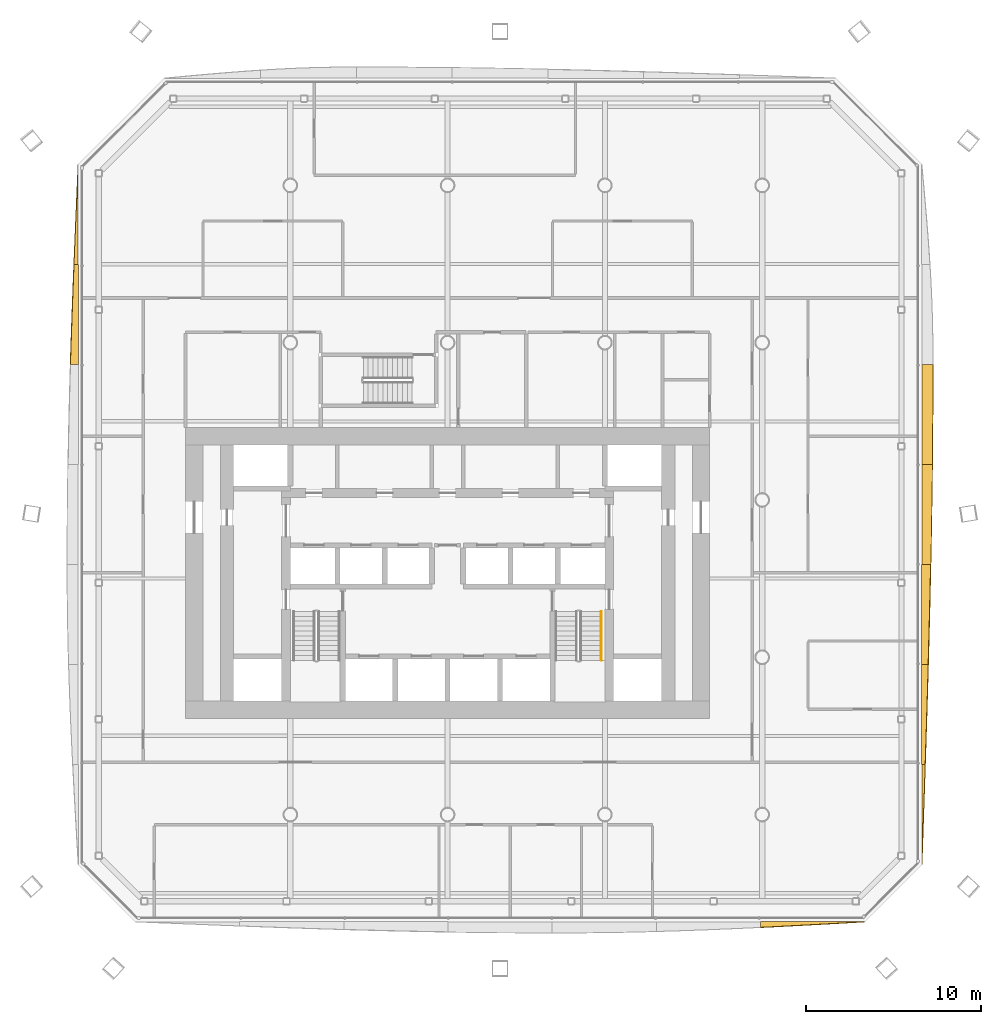
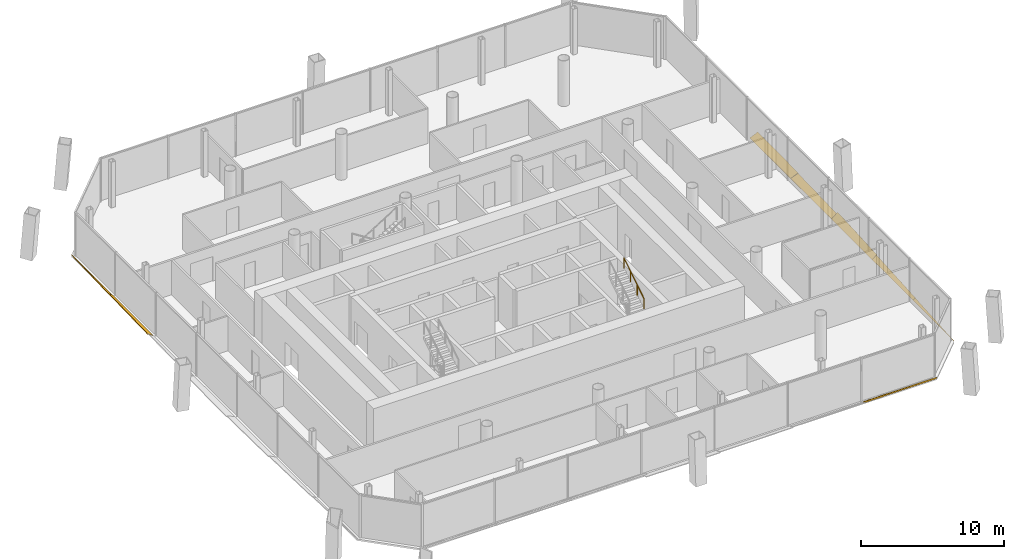
# One storey, part 17 of 19: 8 shading devices, 1 railing.
"""IFC4 building model written with IfcOpenShell, lengths in metres."""

from ifc_helpers import new_model, si_unit, direction, frame, origin, origin_2d, place, context, subcontext, project, spatial, polyline, circle, outline, extrude, material, layer, layer_set, type_object, element, save


model = new_model("IFC4")

# Units and contexts
model_context = context("Model", 3, precision=1e-05, world=origin(), true_north=direction((0.0, 1.0)))
body_context = subcontext(model_context, "Body", "Model", "MODEL_VIEW")
ifc_project = project(units=[si_unit("LENGTHUNIT", "METRE"), si_unit("AREAUNIT", "SQUARE_METRE"), si_unit("VOLUMEUNIT", "CUBIC_METRE"), si_unit("PLANEANGLEUNIT", "RADIAN"), si_unit("MASSUNIT", "GRAM", prefix="KILO")], contexts=[model_context])

# Site, building, storey
site_placement = place(None, origin())
site = spatial("IfcSite", under=ifc_project, at=site_placement, CompositionType="ELEMENT")
building_placement = place(site_placement, origin())
building = spatial("IfcBuilding", under=site, at=building_placement, Name="Tskaro Facet Tower", CompositionType="ELEMENT")
storey_placement = place(building_placement, frame((0.0, 0.0, 101.10009765625)))
storey = spatial("IfcBuildingStorey", under=building, at=storey_placement, Name="L24", CompositionType="ELEMENT", Elevation=101.10009765625)

# Shading devices
ifc_material_1 = material(Name="Bronze anodised aluminium 6063-T6", Category="aluminium")
ifc_layer = layer(ifc_material_1, 0.06005859375, Name="Bronze anodised aluminium 6063-T6")
ifc_layer_set = layer_set([ifc_layer], Name="Bronze anodised aluminium 6063-T6")
shading_device_type = type_object("IfcShadingDeviceType", Name="Bronze sun blade (FN1)", PredefinedType="USERDEFINED", material=ifc_layer_set)
shading_device_1_placement = place(storey_placement, frame((17.900634765625, -24.130615234375, 0.049072265625), z_axis=(3.952452e-06, 0.573584533495, 0.819146374539), x_axis=(0.999999999992, -2.267065e-06, -3.237637e-06)))
element("IfcShadingDevice", 1, at=shading_device_1_placement, inside=storey, type_object=shading_device_type, Name="Fin blade south 7", ObjectType="FIN", PredefinedType="USERDEFINED", context=body_context, shape_type="SweptSolid", body=[
    extrude(outline(polyline([(0.0, 0.0), (5.9604492187034435, 1.2621742171793511e-21), (5.2153320313187015, -0.05154200472405239), (4.470214844170917, -0.10274398725375801), (3.725341796541163, -0.15354599596776775), (2.980224609550762, -0.2035279250065851), (2.235107421690352, -0.2527698580353598), (1.4902343751658074, -0.3009917244810942), (0.7451171870666842, -0.3475935636202444), (-8.46154293750797e-11, -0.39283531398200755), (0.0, 0.0)])), origin(), (0.0, 0.0, -1.0), 0.06005859375),
])
shading_device_2_placement = place(storey_placement, frame((27.135009765625, -20.861083984375, 0.0517578125), z_axis=(-0.500558717726, 7.991431e-06, 0.865702587524), x_axis=(4.000181e-06, 0.999999999968, -6.918203e-06)))
element("IfcShadingDevice", 2, at=shading_device_2_placement, inside=storey, type_object=shading_device_type, Name="Fin blade east 1", ObjectType="FIN", PredefinedType="USERDEFINED", context=body_context, shape_type="SweptSolid", body=[
    extrude(outline(polyline([(0.0, 0.0), (5.721191406067314, 0.0), (5.721191406419375, -0.22248391525099748), (5.006103516647779, -0.1953504346361422), (4.291015625899576, -0.1680056008504981), (3.5756835935497753, -0.14044941389406507), (2.860595702537374, -0.11255966704864456), (2.145507811524973, -0.08466992020322404), (1.430419921224979, -0.056446613468816034), (0.7153320309249857, -0.028223306734408017), (0.0, 0.0)])), origin(), (0.0, 0.0, -1.0), 0.06005859375),
])
shading_device_3_placement = place(storey_placement, frame((27.130615234375, -15.139892578125, 0.049072265625), z_axis=(-0.573652734351, -1.5662647e-05, 0.819098614409), x_axis=(-8.98492e-06, 0.999999999877, 1.2829253e-05)))
element("IfcShadingDevice", 3, at=shading_device_3_placement, inside=storey, type_object=shading_device_type, Name="Fin blade east 2", ObjectType="FIN", PredefinedType="USERDEFINED", context=body_context, shape_type="SweptSolid", body=[
    extrude(outline(polyline([(0.0, 0.0), (5.721191405548243, 0.0), (5.7211914067366365, -0.4480374870490783), (5.006103516602605, -0.4233165291387505), (4.290771483966489, -0.3979155168588277), (3.575683593210369, -0.37197450214642447), (2.8605957015156918, -0.34569346024922376), (2.145507813269625, -0.3186724406718596), (1.4304199209528583, -0.29117134197258354), (0.7150878902047058, -0.26347026802562445), (-1.7955919207759768e-09, -0.23508913970907042), (0.0, 0.0)])), origin(), (0.0, 0.0, -1.0), 0.06005859375),
])
shading_device_4_placement = place(storey_placement, frame((27.12646484375, -9.418701171875, 0.0458984375), z_axis=(-0.642809788213, -1.966367e-06, 0.766025832576), x_axis=(-1.264e-06, 0.999999999998, 1.506288e-06)))
element("IfcShadingDevice", 4, at=shading_device_4_placement, inside=storey, type_object=shading_device_type, Name="Fin blade east 3", ObjectType="FIN", PredefinedType="USERDEFINED", context=body_context, shape_type="SweptSolid", body=[
    extrude(outline(polyline([(0.0, 0.0), (5.7211914062389395, 0.0), (5.721191406211998, -0.6616319041747991), (5.006103515598397, -0.6418761154524012), (4.290771484550085, -0.6212454006865069), (3.575683593640721, -0.5997698419191974), (2.8605957032302407, -0.5772323390828598), (2.1455078123337095, -0.5538499922451068), (1.4301757813702138, -0.5297496553473082), (0.7150878905456671, -0.5048044744480943), (-8.859061559661637e-11, -0.4789843675053841), (0.0, 0.0)])), origin(), (0.0, 0.0, -1.0), 0.06005859375),
])
shading_device_5_placement = place(storey_placement, frame((27.14453125, -3.697509765625, 0.056396484375), z_axis=(-0.341926947475, 4.981176e-06, 0.939726536055), x_axis=(1.703198e-06, 0.999999999988, -4.680943e-06)))
element("IfcShadingDevice", 5, at=shading_device_5_placement, inside=storey, type_object=shading_device_type, Name="Fin blade east 4", ObjectType="FIN", PredefinedType="USERDEFINED", context=body_context, shape_type="SweptSolid", body=[
    extrude(outline(polyline([(0.0, 0.0), (5.721191406179022, 2.4230188093209563e-21), (5.721191406800127, -0.6372431714166475), (5.005859374719006, -0.628211542478152), (4.29077148388522, -0.618095255326955), (3.57568359408959, -0.6071237353869012), (2.8605957030465006, -0.5954639391753143), (2.145263672000752, -0.5827194847510261), (1.4301757810595281, -0.5689738503726985), (0.7150878904294735, -0.5546858868880203), (4.217560790161736e-10, -0.5393132651906408), (0.0, 0.0)])), origin(), (0.0, 0.0, -1.0), 0.06005859375),
])
shading_device_6_placement = place(storey_placement, frame((27.1396484375, 2.023681640625, 0.05419921875), z_axis=(-0.422734421803, 2.392691e-06, 0.906253611644), x_axis=(1.011473e-06, 0.999999999997, -2.168384e-06)))
element("IfcShadingDevice", 6, at=shading_device_6_placement, inside=storey, type_object=shading_device_type, Name="Fin blade east 5", ObjectType="FIN", PredefinedType="USERDEFINED", context=body_context, shape_type="SweptSolid", body=[
    extrude(outline(polyline([(0.0, 0.0), (5.720947265608624, 0.0), (5.720947265788184, -0.7001238417713108), (5.0058593749893046, -0.6988111618636352), (4.29077148426144, -0.6964070553714397), (3.5756835938515326, -0.69313277561788), (2.8603515626406995, -0.6885458159566447), (2.145263671843432, -0.6831918896799937), (1.4301757811171791, -0.6767465368188228), (0.7150878904619418, -0.6692097573731319), (1.2466113998023863e-10, -0.6608028046660771), (0.0, 0.0)])), origin(), (0.0, 0.0, -1.0), 0.06005859375),
])
shading_device_7_placement = place(storey_placement, frame((-21.135009765625, 19.18701171875, 0.0517578125), z_axis=(0.500485314566, -2.3008317e-05, 0.865745025613), x_axis=(-1.1515325e-05, -0.999999999735, -1.9919336e-05)))
element("IfcShadingDevice", 7, at=shading_device_7_placement, inside=storey, type_object=shading_device_type, Name="Fin blade west 1", ObjectType="FIN", PredefinedType="USERDEFINED", context=body_context, shape_type="SweptSolid", body=[
    extrude(outline(polyline([(0.0, 0.0), (5.7211914047356505, 0.0), (5.7211914077957, -0.2802317202940548), (5.006103513500408, -0.24677062178947398), (4.2907714826837, -0.2126424186264258), (3.5756835917323304, -0.17796929960244412), (2.8605957028327214, -0.14296262824922873), (2.1455078131735137, -0.10741104103507988), (1.4301757828893713, -0.07185945382093102), (0.7150878876074468, -0.035885139543382544), (0.0, 0.0)])), origin(), (0.0, 0.0, -1.0), 0.06005859375),
])
shading_device_8_placement = place(storey_placement, frame((-21.130615234375, 13.4658203125, 0.049072265625), z_axis=(0.573608536588, -7.912279e-06, 0.819129566485), x_axis=(-4.538551e-06, -0.999999999969, -6.481182e-06)))
element("IfcShadingDevice", 8, at=shading_device_8_placement, inside=storey, type_object=shading_device_type, Name="Fin blade west 2", ObjectType="FIN", PredefinedType="USERDEFINED", context=body_context, shape_type="SweptSolid", body=[
    extrude(outline(polyline([(0.0, 0.0), (5.721191406070915, -2.4230188093209563e-21), (5.721191406685699, -0.5474613261123716), (5.005859374786448, -0.5201002747300942), (4.290771484301246, -0.4911791447396674), (3.5756835925485047, -0.4611780012386799), (2.860595703800909, -0.43001674473819107), (2.145507812203454, -0.39791551587377383), (1.430175781403832, -0.3647942151564877), (0.7150878905954331, -0.3311329076839212), (1.0181476112371265e-10, -0.29625154555416167), (0.0, 0.0)])), origin(), (0.0, 0.0, -1.0), 0.06005859375),
])

# Railing
ifc_material_2 = material(Name="Stainless steel", Category="steel")
railing_type = type_object("IfcRailingType", Name="RL-HANDRAIL-900", PredefinedType="HANDRAIL", material=ifc_material_2)
railing_placement = place(storey_placement, frame((8.800048828125, -9.175048828125, 2.127197265625)))
element("IfcRailing", 9, at=railing_placement, inside=storey, type_object=railing_type, Name="L24 ST-2 stair handrail 2", PredefinedType="HANDRAIL", context=body_context, shape_type="SweptSolid", body=[
    extrude(circle(Radius=0.02392578125, at=origin_2d()), frame((0.0, 0.0, 0.8759765625), z_axis=(0.0, 0.844908973607, 0.534910110503), x_axis=(-1.0, 0.0, 0.0)), (0.0, 0.0, 1.0), 3.31396484375),
    extrude(circle(Radius=0.02099609375, at=origin_2d()), origin(), (0.0, 0.0, 1.0), 0.851806640625),
    extrude(circle(Radius=0.02099609375, at=origin_2d()), frame((0.0, 0.933349609375, 0.5908203125)), (0.0, 0.0, 1.0), 0.851806640625),
    extrude(circle(Radius=0.02099609375, at=origin_2d()), frame((0.0, 1.86669921875, 1.181884765625)), (0.0, 0.0, 1.0), 0.851806640625),
    extrude(circle(Radius=0.02099609375, at=origin_2d()), frame((0.0, 2.800048828125, 1.772705078125)), (0.0, 0.0, 1.0), 0.851806640625),
])

save(model, "model.ifc")
